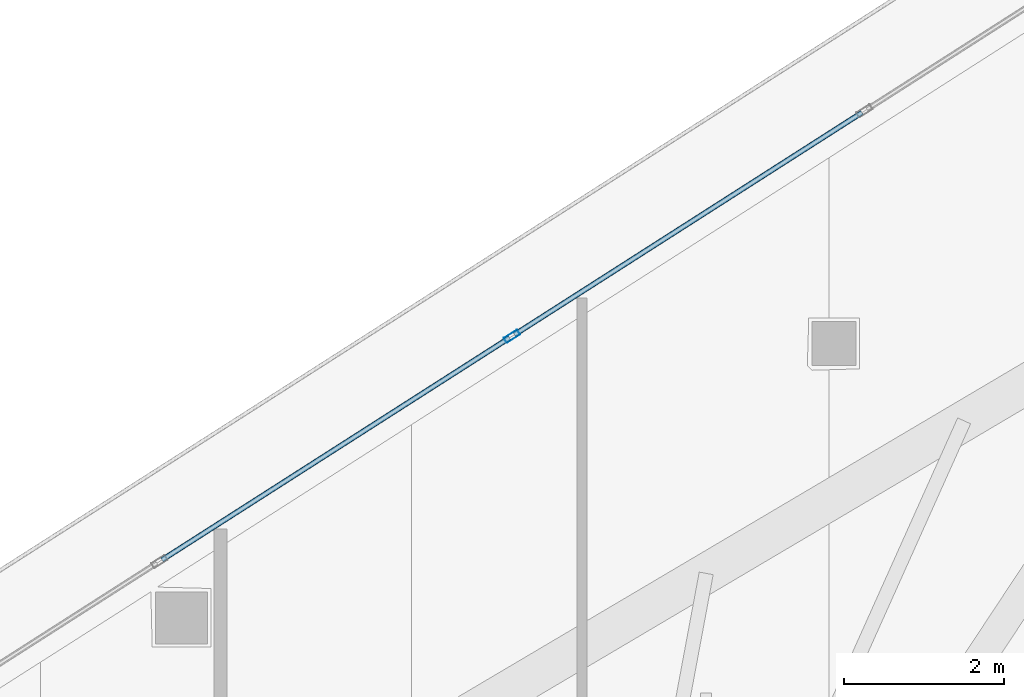
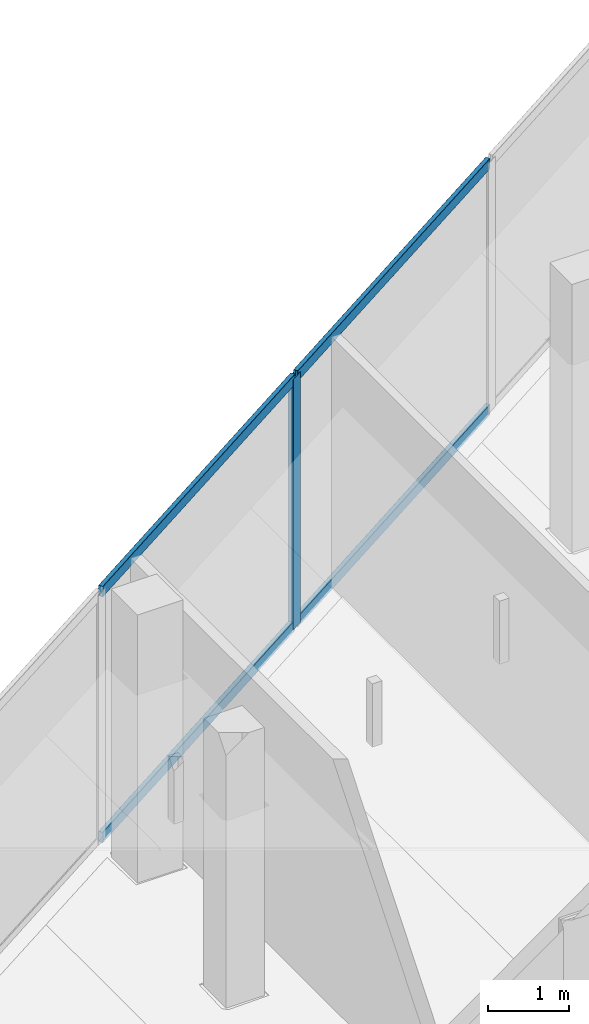
# One storey, part 15 of 32: 5 members, 1 element without a shape of its own.
"""IFC4 building model written with IfcOpenShell, lengths in metres."""

from ifc_helpers import new_model, si_unit, direction, frame, origin, origin_2d, place, context, subcontext, project, spatial, hollow_rectangle, extrude, material, layer, layer_set, material_profile, profile_set, type_object, element, aggregate, save


model = new_model("IFC4")

# Units and contexts
model_context = context("Model", 3, precision=1e-05, world=origin(), true_north=direction((0.0, 1.0)))
body_context = subcontext(model_context, "Body", "Model", "MODEL_VIEW")
ifc_project = project(units=[si_unit("LENGTHUNIT", "METRE"), si_unit("AREAUNIT", "SQUARE_METRE"), si_unit("VOLUMEUNIT", "CUBIC_METRE"), si_unit("PLANEANGLEUNIT", "RADIAN"), si_unit("MASSUNIT", "GRAM", prefix="KILO")], contexts=[model_context])

# Site, building, storey
site_placement = place(None, origin())
site = spatial("IfcSite", under=ifc_project, at=site_placement, CompositionType="ELEMENT")
building_placement = place(site_placement, origin())
building = spatial("IfcBuilding", under=site, at=building_placement, Name="Qorvath Tower", CompositionType="ELEMENT")
storey_placement = place(building_placement, frame((0.0, 0.0, 233.39990234375)))
storey = spatial("IfcBuildingStorey", under=building, at=storey_placement, Name="L54", CompositionType="ELEMENT", Elevation=233.39990234375)

# Curtain wall, members
ifc_material_1 = material(Name="Anodised aluminium and triple low-E glass", Category="aluminium")
ifc_layer = layer(ifc_material_1, 0.179931640625)
ifc_layer_set = layer_set([ifc_layer], Name="CW-SYS-5")
curtain_wall_type = type_object("IfcCurtainWallType", Name="CW-SYS-5", PredefinedType="NOTDEFINED", material=ifc_layer_set)
curtain_wall_placement = place(storey_placement, origin())
curtain_wall = element("IfcCurtainWall", 1, at=curtain_wall_placement, inside=storey, type_object=curtain_wall_type, Name="Curtain Wall CW-5 CW-T-L54-18.1", PredefinedType="NOTDEFINED")
ifc_material_2 = material(Name="Anodised aluminium 6063-T6", Category="aluminium")
ifc_material_profile_1 = material_profile(ifc_material_2, hollow_rectangle(XDim=0.074951171875, YDim=0.199951171875, WallThickness=0.00390625, InnerFilletRadius=0.00390625, OuterFilletRadius=0.008056640625, at=origin_2d()), Name="CWM 200x75")
ifc_profile_set_1 = profile_set([ifc_material_profile_1], Name="Anodised aluminium 6063-T6")
member_type_1 = type_object("IfcMemberType", Name="CWM-200", PredefinedType="MULLION", material=ifc_profile_set_1)
member_1_placement = place(storey_placement, frame((-26.0869140625, 20.585693359375, 0.0), z_axis=(0.0, 0.0, 1.0), x_axis=(0.538528188002, -0.842607495057, 0.0)))
member_1 = element("IfcMember", 2, at=member_1_placement, type_object=member_type_1, Name="CW-5 mullion 3", PredefinedType="MULLION", context=body_context, shape_type="SweptSolid", body=[
    extrude(hollow_rectangle(XDim=0.074951171875, YDim=0.199951171875, WallThickness=0.00390625, InnerFilletRadius=0.00390625, OuterFilletRadius=0.008056640625, at=origin_2d()), origin(), (0.0, 0.0, 1.0), 3.780029296875),
])
ifc_material_3 = material(Name="Anodised aluminium 6063-T6", Category="aluminium")
ifc_material_profile_2 = material_profile(ifc_material_3, hollow_rectangle(XDim=0.06494140625, YDim=0.159912109375, WallThickness=0.00341796875, InnerFilletRadius=0.00341796875, OuterFilletRadius=0.007080078125, at=origin_2d()), Name="CWT 160x65")
ifc_profile_set_2 = profile_set([ifc_material_profile_2], Name="Anodised aluminium 6063-T6")
member_type_2 = type_object("IfcMemberType", Name="CWT-160", PredefinedType="USERDEFINED", material=ifc_profile_set_2)
member_2_placement = place(storey_placement, frame((-21.703369140625, 23.38720703125, 0.032470703125), z_axis=(-0.842614632309, -0.538517020548, 0.0), x_axis=(0.538517020548, -0.842614632309, 0.0)))
member_2 = element("IfcMember", 3, at=member_2_placement, type_object=member_type_2, Name="CW-5 transom 2.1", ObjectType="TRANSOM", PredefinedType="USERDEFINED", context=body_context, shape_type="SweptSolid", body=[
    extrude(hollow_rectangle(XDim=0.06494140625, YDim=0.159912109375, WallThickness=0.00341796875, InnerFilletRadius=0.00341796875, OuterFilletRadius=0.007080078125, at=origin_2d()), origin(), (0.0, 0.0, 1.0), 5.16455078125),
])
member_3_placement = place(storey_placement, frame((-21.703369140625, 23.38720703125, 3.74755859375), z_axis=(-0.842614632309, -0.538517020548, 0.0), x_axis=(0.538517020548, -0.842614632309, 0.0)))
member_3 = element("IfcMember", 4, at=member_3_placement, type_object=member_type_2, Name="CW-5 transom 2.2", ObjectType="TRANSOM", PredefinedType="USERDEFINED", context=body_context, shape_type="SweptSolid", body=[
    extrude(hollow_rectangle(XDim=0.06494140625, YDim=0.159912109375, WallThickness=0.00341796875, InnerFilletRadius=0.00341796875, OuterFilletRadius=0.007080078125, at=origin_2d()), origin(), (0.0, 0.0, 1.0), 5.16455078125),
])
member_4_placement = place(storey_placement, frame((-26.118408203125, 20.5654296875, 0.032470703125), z_axis=(-0.842614632309, -0.538517020548, 0.0), x_axis=(0.538517020548, -0.842614632309, 0.0)))
member_4 = element("IfcMember", 5, at=member_4_placement, type_object=member_type_2, Name="CW-5 transom 3.1", ObjectType="TRANSOM", PredefinedType="USERDEFINED", context=body_context, shape_type="SweptSolid", body=[
    extrude(hollow_rectangle(XDim=0.06494140625, YDim=0.159912109375, WallThickness=0.00341796875, InnerFilletRadius=0.00341796875, OuterFilletRadius=0.007080078125, at=origin_2d()), origin(), (0.0, 0.0, 1.0), 5.16455078125),
])
member_5_placement = place(storey_placement, frame((-26.118408203125, 20.5654296875, 3.74755859375), z_axis=(-0.842614632309, -0.538517020548, 0.0), x_axis=(0.538517020548, -0.842614632309, 0.0)))
member_5 = element("IfcMember", 6, at=member_5_placement, type_object=member_type_2, Name="CW-5 transom 3.2", ObjectType="TRANSOM", PredefinedType="USERDEFINED", context=body_context, shape_type="SweptSolid", body=[
    extrude(hollow_rectangle(XDim=0.06494140625, YDim=0.159912109375, WallThickness=0.00341796875, InnerFilletRadius=0.00341796875, OuterFilletRadius=0.007080078125, at=origin_2d()), origin(), (0.0, 0.0, 1.0), 5.16455078125),
])
aggregate(curtain_wall, [member_1, member_2, member_3, member_4, member_5])

save(model, "model.ifc")
